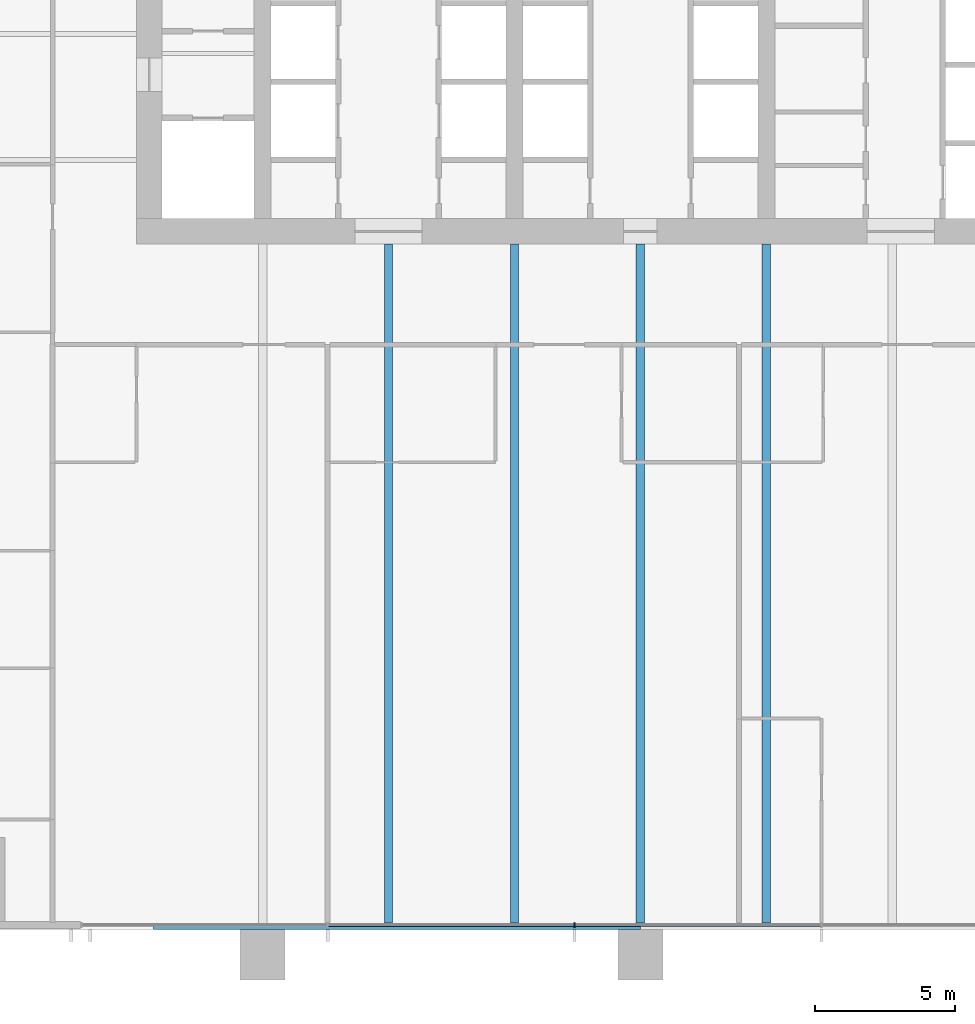
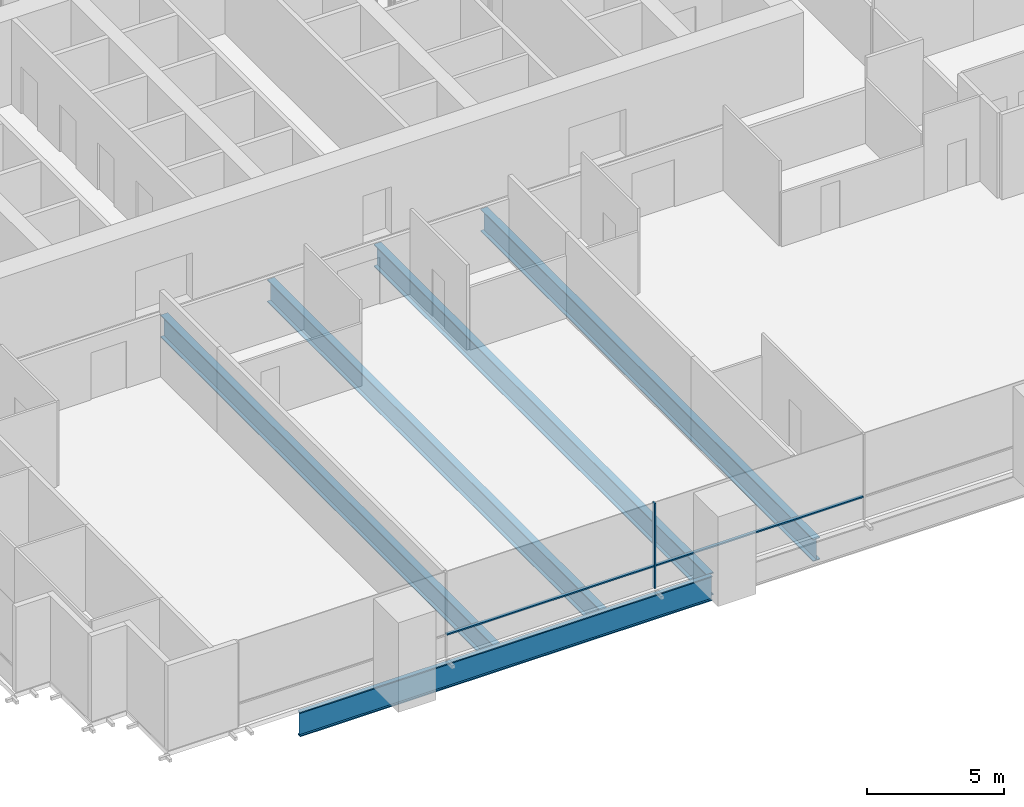
# One storey, part 3 of 17: 5 beams, 3 members, 1 element without a shape of its own.
"""IFC4 building model written with IfcOpenShell, lengths in metres."""

from ifc_helpers import new_model, si_unit, direction, frame, origin, origin_2d, place, context, subcontext, project, spatial, rectangle, i_section, extrude, material, material_profile, profile_set, type_object, element, aggregate, save


model = new_model("IFC4")

# Units and contexts
model_context = context("Model", 3, precision=1e-05, world=origin(), true_north=direction((0.0, 1.0)))
body_context = subcontext(model_context, "Body", "Model", "MODEL_VIEW")
ifc_project = project(units=[si_unit("LENGTHUNIT", "METRE"), si_unit("AREAUNIT", "SQUARE_METRE"), si_unit("VOLUMEUNIT", "CUBIC_METRE"), si_unit("PLANEANGLEUNIT", "RADIAN"), si_unit("MASSUNIT", "GRAM", prefix="KILO")], contexts=[model_context])

# Site, building, storey
site_placement = place(None, origin())
site = spatial("IfcSite", under=ifc_project, at=site_placement, CompositionType="ELEMENT")
building_placement = place(site_placement, origin())
building = spatial("IfcBuilding", under=site, at=building_placement, Name="Rattan Terrace Tower", CompositionType="ELEMENT")
storey_placement = place(building_placement, frame((0.0, 0.0, 83.699951171875)))
storey = spatial("IfcBuildingStorey", under=building, at=storey_placement, Name="L18", CompositionType="ELEMENT", Elevation=83.699951171875)

# Curtain wall, members
ifc_material_1 = material(Name="Aluminium and glass", Category="aluminium")
curtain_wall_type = type_object("IfcCurtainWallType", Name="Facade Unitised Curtain Wall", PredefinedType="NOTDEFINED", material=ifc_material_1)
curtain_wall_placement = place(storey_placement, origin())
curtain_wall = element("IfcCurtainWall", 1, at=curtain_wall_placement, inside=storey, type_object=curtain_wall_type, Name="Curtain wall L18-4", PredefinedType="NOTDEFINED")
ifc_material_2 = material(Name="Aluminium", Category="aluminium")
ifc_material_profile_1 = material_profile(ifc_material_2, rectangle(XDim=0.06005859375, YDim=0.159912109375, at=origin_2d()), Name="Aluminium 60x160")
ifc_profile_set_1 = profile_set([ifc_material_profile_1], Name="Aluminium")
member_type_1 = type_object("IfcMemberType", Name="Facade CW Mullion 60x160", PredefinedType="MULLION", material=ifc_profile_set_1)
member_1_placement = place(storey_placement, frame((-2.35400390625, -31.830078125, 0.0), z_axis=(0.0, 0.0, 1.0), x_axis=(1.0, 0.0, 0.0)))
member_1 = element("IfcMember", 2, at=member_1_placement, type_object=member_type_1, Name="Mullion cwl-L18-004.3", PredefinedType="MULLION", context=body_context, shape_type="SweptSolid", body=[
    extrude(rectangle(XDim=0.06005859375, YDim=0.159912109375, at=origin_2d()), origin(), (0.0, 0.0, 1.0), 3.800048828125),
])
ifc_material_3 = material(Name="Aluminium", Category="aluminium")
ifc_material_profile_2 = material_profile(ifc_material_3, rectangle(XDim=0.1201171875, YDim=0.06005859375, at=origin_2d()), Name="Aluminium 120x60")
ifc_profile_set_2 = profile_set([ifc_material_profile_2], Name="Aluminium")
member_type_2 = type_object("IfcMemberType", Name="Facade CW Transom 120x60", PredefinedType="USERDEFINED", material=ifc_profile_set_2)
member_2_placement = place(storey_placement, frame((-11.14697265625, -31.830078125, 1.0), z_axis=(1.0, 0.0, 0.0), x_axis=(0.0, 1.0, 0.0)))
member_2 = element("IfcMember", 3, at=member_2_placement, type_object=member_type_2, Name="Transom cwl-L18-004.2", ObjectType="TRANSOM", PredefinedType="USERDEFINED", context=body_context, shape_type="SweptSolid", body=[
    extrude(rectangle(XDim=0.1201171875, YDim=0.06005859375, at=origin_2d()), origin(), (0.0, 0.0, 1.0), 8.762939453125),
])
member_3_placement = place(storey_placement, frame((-2.323974609375, -31.830078125, 1.0), z_axis=(1.0, 0.0, 0.0), x_axis=(0.0, 1.0, 0.0)))
member_3 = element("IfcMember", 4, at=member_3_placement, type_object=member_type_2, Name="Transom cwl-L18-004.3", ObjectType="TRANSOM", PredefinedType="USERDEFINED", context=body_context, shape_type="SweptSolid", body=[
    extrude(rectangle(XDim=0.1201171875, YDim=0.06005859375, at=origin_2d()), origin(), (0.0, 0.0, 1.0), 8.762939453125),
])
aggregate(curtain_wall, [member_1, member_2, member_3])

# Beams
ifc_material_4 = material(Name="Steel S460", Category="steel")
ifc_material_profile_3 = material_profile(ifc_material_4, i_section(OverallWidth=0.179931640625, OverallDepth=1.10009765625, WebThickness=0.01611328125, FlangeThickness=0.050048828125, at=origin_2d()), Name="PG 1100x180-16-50")
ifc_profile_set_3 = profile_set([ifc_material_profile_3], Name="Steel S460")
beam_type_1 = type_object("IfcBeamType", Name="Frame edge girder PG 1100x180-16-50", PredefinedType="SPANDREL", material=ifc_profile_set_3)
beam_placement = place(storey_placement, frame((-17.39990234375, -31.909912109375, -0.75), z_axis=(1.0, 0.0, 0.0), x_axis=(0.0, 1.0, 0.0)))
element("IfcBeam", 5, at=beam_placement, inside=storey, type_object=beam_type_1, Name="gdr-L18-001", PredefinedType="SPANDREL", context=body_context, shape_type="SweptSolid", body=[
    extrude(i_section(OverallWidth=0.179931640625, OverallDepth=1.10009765625, WebThickness=0.01611328125, FlangeThickness=0.050048828125, at=origin_2d()), origin(), (0.0, 0.0, 1.0), 17.39990234375),
])
ifc_material_5 = material(Name="Steel S460", Category="steel")
ifc_material_profile_4 = material_profile(ifc_material_5, i_section(OverallWidth=0.300048828125, OverallDepth=1.0, WebThickness=0.013916015625, FlangeThickness=0.0400390625, at=origin_2d()), Name="PG 1000x300-14-40")
ifc_profile_set_4 = profile_set([ifc_material_profile_4], Name="Steel S460")
beam_type_2 = type_object("IfcBeamType", Name="Frame floor beam PG 1000x300-14-40", PredefinedType="JOIST", material=ifc_profile_set_4)
for number, where, z_axis, x_axis, name in (
    (6, (-9.0, -31.820068359375, -0.699951171875), (0.0, 1.0, 0.0), (-1.0, 0.0, 0.0), "bm-L18-004"),
    (7, (-4.5, -31.820068359375, -0.699951171875), (0.0, 1.0, 0.0), (-1.0, 0.0, 0.0), "bm-L18-005"),
    (8, (0.0, -31.820068359375, -0.699951171875), (0.0, 1.0, 0.0), (-1.0, 0.0, 0.0), "bm-L18-006"),
    (9, (4.5, -31.820068359375, -0.699951171875), (0.0, 1.0, 0.0), (-1.0, 0.0, 0.0), "bm-L18-007"),
):
    element("IfcBeam", number, at=place(storey_placement, frame(where, z_axis=z_axis, x_axis=x_axis)), inside=storey, type_object=beam_type_2, Name=name, PredefinedType="JOIST", context=body_context, shape_type="SweptSolid", body=[
        extrude(i_section(OverallWidth=0.300048828125, OverallDepth=1.0, WebThickness=0.013916015625, FlangeThickness=0.0400390625, at=origin_2d()), origin(), (0.0, 0.0, 1.0), 24.320068359375),
    ])

save(model, "model.ifc")
